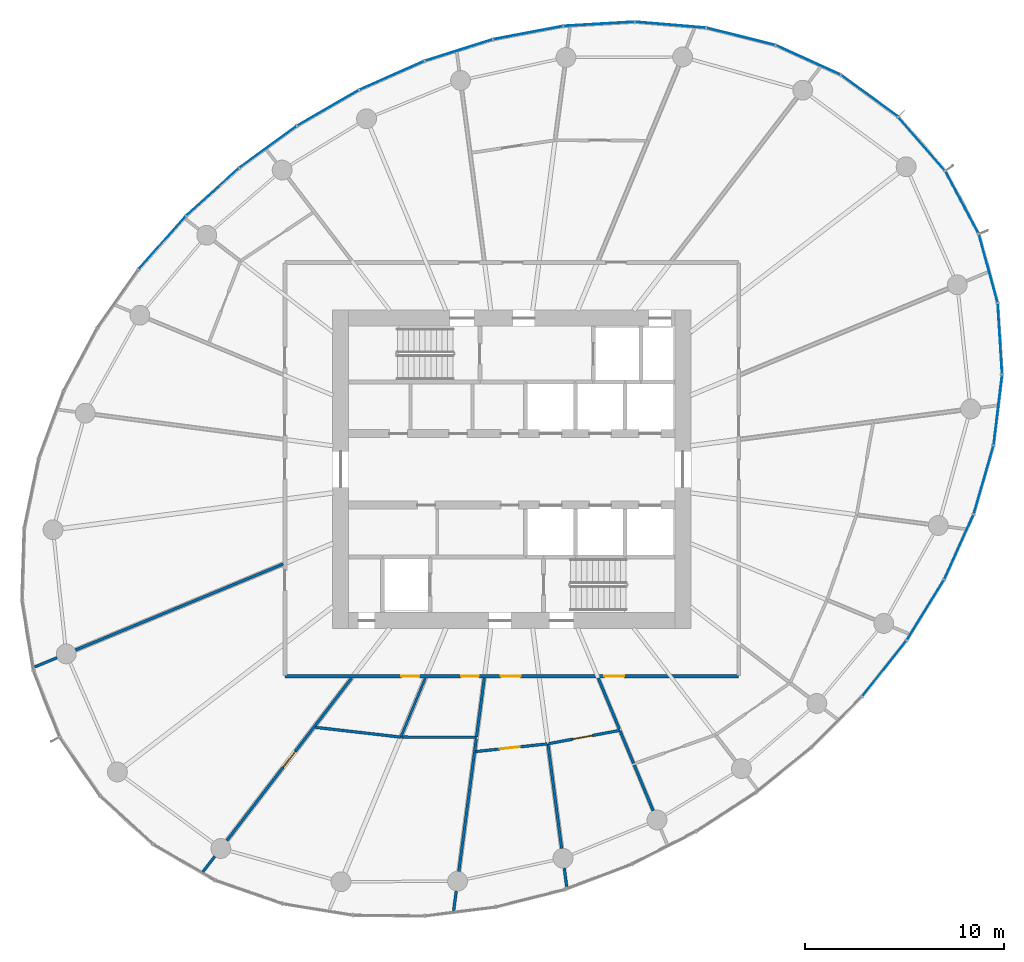
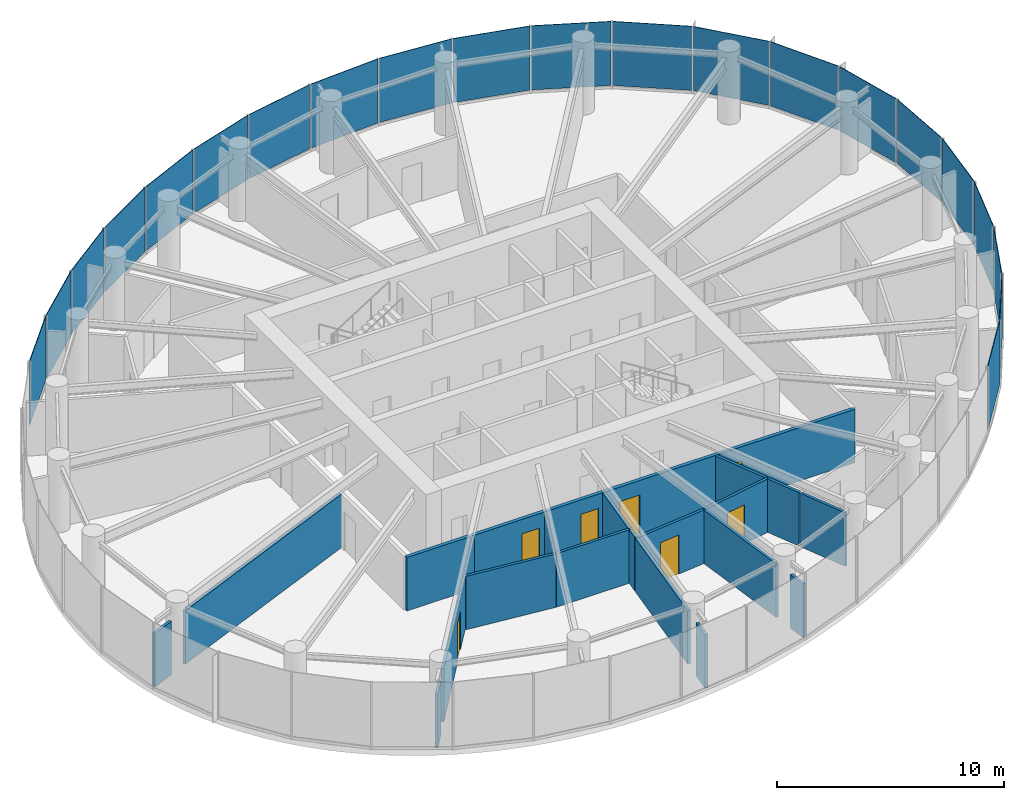
# One storey, part 8 of 14: 21 plates, 19 walls, 7 doors, 7 openings, 5 elements without a shape of their own.
"""IFC4 building model written with IfcOpenShell, lengths in metres."""

from ifc_helpers import new_model, si_unit, direction, frame, frame_2d, origin, origin_2d, place, context, subcontext, project, spatial, rectangle, extrude, source, transform, mapped, material, layer, layer_set, type_object, element, fill, aggregate, save


model = new_model("IFC4")

# Units and contexts
model_context = context("Model", 3, precision=1e-05, world=origin(), true_north=direction((0.0, 1.0)))
body_context = subcontext(model_context, "Body", "Model", "MODEL_VIEW")
ifc_project = project(units=[si_unit("LENGTHUNIT", "METRE"), si_unit("AREAUNIT", "SQUARE_METRE"), si_unit("VOLUMEUNIT", "CUBIC_METRE"), si_unit("PLANEANGLEUNIT", "RADIAN"), si_unit("MASSUNIT", "GRAM", prefix="KILO")], contexts=[model_context])

# Site, building, storey
site_placement = place(None, origin())
site = spatial("IfcSite", under=ifc_project, at=site_placement, CompositionType="ELEMENT")
building_placement = place(site_placement, origin())
building = spatial("IfcBuilding", under=site, at=building_placement, Name="Spindrift Exchange Tower", CompositionType="ELEMENT")
storey_placement = place(building_placement, frame((0.0, 0.0, 148.699951171875)))
storey = spatial("IfcBuildingStorey", under=building, at=storey_placement, Name="L35", CompositionType="ELEMENT", Elevation=148.699951171875)

# Curtain wall, plate
ifc_material_1 = material(Name="Fritted laminated glass with bronze frame", Category="glass")
ifc_layer_1 = layer(ifc_material_1, 0.179931640625)
ifc_layer_set_1 = layer_set([ifc_layer_1], Name="ZONE 3 BRONZE FRITTED WALL")
curtain_wall_type = type_object("IfcCurtainWallType", Name="ZONE 3 BRONZE FRITTED WALL", PredefinedType="NOTDEFINED", material=ifc_layer_set_1)
curtain_wall_1_placement = place(storey_placement, origin())
curtain_wall_1 = element("IfcCurtainWall", 1, at=curtain_wall_1_placement, inside=storey, type_object=curtain_wall_type, Name="L35 Zone 3 Bronze Fritted Wall run 6", PredefinedType="NOTDEFINED")
ifc_material_2 = material(Name="Bronze fritted laminated glass, open frit", Category="glass")
ifc_layer_2 = layer(ifc_material_2, 0.031982421875)
ifc_layer_set_2 = layer_set([ifc_layer_2], Name="ZONE 3 BRONZE FRITTED WALL PANEL OPEN FRIT 360")
plate_type_1 = type_object("IfcPlateType", Name="ZONE 3 BRONZE FRITTED WALL PANEL OPEN FRIT 360", PredefinedType="CURTAIN_PANEL", material=ifc_layer_set_2)
shared_shape_1 = source(origin(), body_context, "Body", "SweptSolid", [
    extrude(rectangle(XDim=3.530517578125, YDim=0.031982421875, at=origin_2d()), origin(), (0.0, 0.0, 1.0), 3.449951171875),
])
plate_1_placement = place(storey_placement, frame((70.730224609375, 37.9853515625, 0.1298828125), z_axis=(0.0, 0.0, 1.0), x_axis=(0.621947621196, 0.783058846121, 0.0)))
plate_1 = element("IfcPlate", 2, at=plate_1_placement, type_object=plate_type_1, Name="L35 panel CW-3.34", PredefinedType="CURTAIN_PANEL", context=body_context, shape_type="MappedRepresentation", body=[
    mapped(shared_shape_1, transform((0.0, 0.0, 0.0), scale=1.0)),
])

# Curtain wall, plates
curtain_wall_2_placement = place(storey_placement, origin())
curtain_wall_2 = element("IfcCurtainWall", 3, at=curtain_wall_2_placement, inside=storey, type_object=curtain_wall_type, Name="L35 Zone 3 Bronze Fritted Wall run 2", PredefinedType="NOTDEFINED")
ifc_layer_3 = layer(ifc_material_2, 0.031982421875)
ifc_layer_set_3 = layer_set([ifc_layer_3], Name="ZONE 3 BRONZE FRITTED WALL PANEL OPEN FRIT 600")
plate_type_2 = type_object("IfcPlateType", Name="ZONE 3 BRONZE FRITTED WALL PANEL OPEN FRIT 600", PredefinedType="CURTAIN_PANEL", material=ifc_layer_set_3)
shared_shape_2 = source(origin(), body_context, "Body", "SweptSolid", [
    extrude(rectangle(XDim=3.531005859375, YDim=0.031982421875, at=origin_2d()), origin(), (0.0, 0.0, 1.0), 3.449951171875),
])
plate_2_placement = place(storey_placement, frame((39.751953125, 64.208740234375, 0.1298828125), z_axis=(0.0, 0.0, 1.0), x_axis=(-0.808604392004, -0.588352731983, 0.0)))
plate_2 = element("IfcPlate", 4, at=plate_2_placement, type_object=plate_type_2, Name="L35 panel CW-3.11", PredefinedType="CURTAIN_PANEL", context=body_context, shape_type="MappedRepresentation", body=[
    mapped(shared_shape_2, transform((0.0, 0.0, 0.0), scale=1.0)),
])
shared_shape_3 = source(origin(), body_context, "Body", "SweptSolid", [
    extrude(rectangle(XDim=3.531005859375, YDim=0.031982421875, at=origin_2d()), origin(), (0.0, 0.0, 1.0), 3.449951171875),
])
plate_3_placement = place(storey_placement, frame((42.766845703125, 66.1689453125, 0.1298828125), z_axis=(0.0, 0.0, 1.0), x_axis=(-0.865809775156, -0.500373293897, 0.0)))
plate_3 = element("IfcPlate", 5, at=plate_3_placement, type_object=plate_type_1, Name="L35 panel CW-3.10", PredefinedType="CURTAIN_PANEL", context=body_context, shape_type="MappedRepresentation", body=[
    mapped(shared_shape_3, transform((0.0, 0.0, 0.0), scale=1.0)),
])
shared_shape_4 = source(origin(), body_context, "Body", "SweptSolid", [
    extrude(rectangle(XDim=3.53076171875, YDim=0.031982421875, at=origin_2d()), origin(), (0.0, 0.0, 1.0), 3.449951171875),
])
plate_4_placement = place(storey_placement, frame((36.960205078125, 61.942626953125, 0.1298828125), z_axis=(0.0, 0.0, 1.0), x_axis=(-0.742076462523, -0.670315242083, 0.0)))
plate_4 = element("IfcPlate", 6, at=plate_4_placement, type_object=plate_type_1, Name="L35 panel CW-3.12", PredefinedType="CURTAIN_PANEL", context=body_context, shape_type="MappedRepresentation", body=[
    mapped(shared_shape_4, transform((0.0, 0.0, 0.0), scale=1.0)),
])

# Curtain wall, plate
curtain_wall_3_placement = place(storey_placement, origin())
curtain_wall_3 = element("IfcCurtainWall", 7, at=curtain_wall_3_placement, inside=storey, type_object=curtain_wall_type, Name="L35 Zone 3 Bronze Fritted Wall run 3", PredefinedType="NOTDEFINED")
plate_5_placement = place(storey_placement, frame((34.427001953125, 59.39111328125, 0.1298828125), z_axis=(0.0, 0.0, 1.0), x_axis=(-0.665014007247, -0.746830884582, 0.0)))
plate_5 = element("IfcPlate", 8, at=plate_5_placement, type_object=plate_type_1, Name="L35 panel CW-3.13", PredefinedType="CURTAIN_PANEL", context=body_context, shape_type="MappedRepresentation", body=[
    mapped(shared_shape_4, transform((0.0, 0.0, 0.0), scale=1.0)),
])
aggregate(curtain_wall_3, [plate_5])

# Plate
ifc_layer_4 = layer(ifc_material_2, 0.031982421875)
ifc_layer_set_4 = layer_set([ifc_layer_4], Name="ZONE 3 BRONZE FRITTED WALL PANEL OPEN FRIT 480")
plate_type_3 = type_object("IfcPlateType", Name="ZONE 3 BRONZE FRITTED WALL PANEL OPEN FRIT 480", PredefinedType="CURTAIN_PANEL", material=ifc_layer_set_4)
shared_shape_5 = source(origin(), body_context, "Body", "SweptSolid", [
    extrude(rectangle(XDim=3.530517578125, YDim=0.031982421875, at=origin_2d()), origin(), (0.0, 0.0, 1.0), 3.449951171875),
])
plate_6_placement = place(storey_placement, frame((52.819091796875, 69.949951171875, 0.1298828125), z_axis=(0.0, 0.0, 1.0), x_axis=(-0.982426950667, -0.186647492894, 0.0)))
plate_6 = element("IfcPlate", 9, at=plate_6_placement, type_object=plate_type_3, Name="L35 panel CW-3.7", PredefinedType="CURTAIN_PANEL", context=body_context, shape_type="MappedRepresentation", body=[
    mapped(shared_shape_5, transform((0.0, 0.0, 0.0), scale=1.0)),
])

plate_7_placement = place(storey_placement, frame((49.333984375, 69.0712890625, 0.1298828125), z_axis=(0.0, 0.0, 1.0), x_axis=(-0.953524142272, -0.301316627659, 0.0)))
plate_7 = element("IfcPlate", 10, at=plate_7_placement, type_object=plate_type_3, Name="L35 panel CW-3.8", PredefinedType="CURTAIN_PANEL", context=body_context, shape_type="MappedRepresentation", body=[
    mapped(shared_shape_5, transform((0.0, 0.0, 0.0), scale=1.0)),
])

shared_shape_6 = source(origin(), body_context, "Body", "SweptSolid", [
    extrude(rectangle(XDim=3.53076171875, YDim=0.031982421875, at=origin_2d()), origin(), (0.0, 0.0, 1.0), 3.449951171875),
])
plate_8_placement = place(storey_placement, frame((45.9716796875, 67.799560546875, 0.1298828125), z_axis=(0.0, 0.0, 1.0), x_axis=(-0.914220010964, -0.405218177718, 0.0)))
plate_8 = element("IfcPlate", 11, at=plate_8_placement, type_object=plate_type_3, Name="L35 panel CW-3.9", PredefinedType="CURTAIN_PANEL", context=body_context, shape_type="MappedRepresentation", body=[
    mapped(shared_shape_6, transform((0.0, 0.0, 0.0), scale=1.0)),
])

aggregate(curtain_wall_2, [plate_6, plate_7, plate_8, plate_3, plate_2, plate_4])

# Curtain wall, plate
curtain_wall_4_placement = place(storey_placement, origin())
curtain_wall_4 = element("IfcCurtainWall", 12, at=curtain_wall_4_placement, inside=storey, type_object=curtain_wall_type, Name="L35 Zone 3 Bronze Fritted Wall run 7", PredefinedType="NOTDEFINED")
shared_shape_7 = source(origin(), body_context, "Body", "SweptSolid", [
    extrude(rectangle(XDim=3.525634765625, YDim=0.031982421875, at=origin_2d()), origin(), (0.0, 0.0, 1.0), 3.449951171875),
])
plate_9_placement = place(storey_placement, frame((75.95751953125, 58.093994140625, 0.1298828125), z_axis=(0.0, 0.0, 1.0), x_axis=(-0.26322990572, 0.964733132392, 0.0)))
plate_9 = element("IfcPlate", 13, at=plate_9_placement, type_object=plate_type_1, Name="L35 panel CW-3.40", PredefinedType="CURTAIN_PANEL", context=body_context, shape_type="MappedRepresentation", body=[
    mapped(shared_shape_7, transform((0.0, 0.0, 0.0), scale=1.0)),
])

curtain_wall_5_placement = place(storey_placement, origin())
curtain_wall_5 = element("IfcCurtainWall", 14, at=curtain_wall_5_placement, inside=storey, type_object=curtain_wall_type, Name="L35 Zone 3 Bronze Fritted Wall run 1", PredefinedType="NOTDEFINED")
shared_shape_8 = source(origin(), body_context, "Body", "SweptSolid", [
    extrude(rectangle(XDim=3.52685546875, YDim=0.031982421875, at=origin_2d()), origin(), (0.0, 0.0, 1.0), 3.449951171875),
])
plate_10_placement = place(storey_placement, frame((66.8955078125, 68.57958984375, 0.1298828125), z_axis=(0.0, 0.0, 1.0), x_axis=(-0.910161650547, 0.41425326779, 0.0)))
plate_10 = element("IfcPlate", 15, at=plate_10_placement, type_object=plate_type_3, Name="L35 panel CW-3.3", PredefinedType="CURTAIN_PANEL", context=body_context, shape_type="MappedRepresentation", body=[
    mapped(shared_shape_8, transform((0.0, 0.0, 0.0), scale=1.0)),
])

# Plate
shared_shape_9 = source(origin(), body_context, "Body", "SweptSolid", [
    extrude(rectangle(XDim=3.528076171875, YDim=0.031982421875, at=origin_2d()), origin(), (0.0, 0.0, 1.0), 3.449951171875),
])
plate_11_placement = place(storey_placement, frame((76.4375, 50.9833984375, 0.1298828125), z_axis=(0.0, 0.0, 1.0), x_axis=(0.120090056114, 0.992763002142, 0.0)))
plate_11 = element("IfcPlate", 16, at=plate_11_placement, type_object=plate_type_1, Name="L35 panel CW-3.38", PredefinedType="CURTAIN_PANEL", context=body_context, shape_type="MappedRepresentation", body=[
    mapped(shared_shape_9, transform((0.0, 0.0, 0.0), scale=1.0)),
])

shared_shape_10 = source(origin(), body_context, "Body", "SweptSolid", [
    extrude(rectangle(XDim=3.52978515625, YDim=0.031982421875, at=origin_2d()), origin(), (0.0, 0.0, 1.0), 3.449951171875),
])
plate_12_placement = place(storey_placement, frame((74.4814453125, 44.09912109375, 0.1298828125), z_axis=(0.0, 0.0, 1.0), x_axis=(0.411574804254, 0.911375981965, 0.0)))
plate_12 = element("IfcPlate", 17, at=plate_12_placement, type_object=plate_type_1, Name="L35 panel CW-3.36", PredefinedType="CURTAIN_PANEL", context=body_context, shape_type="MappedRepresentation", body=[
    mapped(shared_shape_10, transform((0.0, 0.0, 0.0), scale=1.0)),
])

shared_shape_11 = source(origin(), body_context, "Body", "SweptSolid", [
    extrude(rectangle(XDim=3.529052734375, YDim=0.031982421875, at=origin_2d()), origin(), (0.0, 0.0, 1.0), 3.449951171875),
])
plate_13_placement = place(storey_placement, frame((59.974609375, 70.347412109375, 0.1298828125), z_axis=(0.0, 0.0, 1.0), x_axis=(-0.996487453492, 0.083742193859, 0.0)))
plate_13 = element("IfcPlate", 18, at=plate_13_placement, type_object=plate_type_3, Name="L35 panel CW-3.5", PredefinedType="CURTAIN_PANEL", context=body_context, shape_type="MappedRepresentation", body=[
    mapped(shared_shape_11, transform((0.0, 0.0, 0.0), scale=1.0)),
])

shared_shape_12 = source(origin(), body_context, "Body", "SweptSolid", [
    extrude(rectangle(XDim=3.524658203125, YDim=0.031982421875, at=origin_2d()), origin(), (0.0, 0.0, 1.0), 3.449951171875),
])
plate_14_placement = place(storey_placement, frame((72.615966796875, 64.357421875, 0.1298828125), z_axis=(0.0, 0.0, 1.0), x_axis=(-0.657310797795, 0.753619609022, 0.0)))
plate_14 = element("IfcPlate", 19, at=plate_14_placement, type_object=plate_type_3, Name="L35 panel CW-3.1", PredefinedType="CURTAIN_PANEL", context=body_context, shape_type="MappedRepresentation", body=[
    mapped(shared_shape_12, transform((0.0, 0.0, 0.0), scale=1.0)),
])

shared_shape_13 = source(origin(), body_context, "Body", "SweptSolid", [
    extrude(rectangle(XDim=3.52978515625, YDim=0.031982421875, at=origin_2d()), origin(), (0.0, 0.0, 1.0), 3.449951171875),
])
plate_15_placement = place(storey_placement, frame((56.384521484375, 70.39208984375, 0.1298828125), z_axis=(0.0, 0.0, 1.0), x_axis=(-0.998259439775, -0.058975341458, 0.0)))
plate_15 = element("IfcPlate", 20, at=plate_15_placement, type_object=plate_type_2, Name="L35 panel CW-3.6", PredefinedType="CURTAIN_PANEL", context=body_context, shape_type="MappedRepresentation", body=[
    mapped(shared_shape_13, transform((0.0, 0.0, 0.0), scale=1.0)),
])

shared_shape_14 = source(origin(), body_context, "Body", "SweptSolid", [
    extrude(rectangle(XDim=3.529296875, YDim=0.031982421875, at=origin_2d()), origin(), (0.0, 0.0, 1.0), 3.449951171875),
])
plate_16_placement = place(storey_placement, frame((75.7216796875, 47.468505859375, 0.1298828125), z_axis=(0.0, 0.0, 1.0), x_axis=(0.277593003069, 0.960698768942, 0.0)))
plate_16 = element("IfcPlate", 21, at=plate_16_placement, type_object=plate_type_2, Name="L35 panel CW-3.37", PredefinedType="CURTAIN_PANEL", context=body_context, shape_type="MappedRepresentation", body=[
    mapped(shared_shape_14, transform((0.0, 0.0, 0.0), scale=1.0)),
])

shared_shape_15 = source(origin(), body_context, "Body", "SweptSolid", [
    extrude(rectangle(XDim=3.52490234375, YDim=0.031982421875, at=origin_2d()), origin(), (0.0, 0.0, 1.0), 3.449951171875),
])
plate_17_placement = place(storey_placement, frame((74.640625, 61.41552734375, 0.1298828125), z_axis=(0.0, 0.0, 1.0), x_axis=(-0.469208025022, 0.883087667933, 0.0)))
plate_17 = element("IfcPlate", 22, at=plate_17_placement, type_object=plate_type_1, Name="L35 panel CW-3.41", PredefinedType="CURTAIN_PANEL", context=body_context, shape_type="MappedRepresentation", body=[
    mapped(shared_shape_15, transform((0.0, 0.0, 0.0), scale=1.0)),
])

shared_shape_16 = source(origin(), body_context, "Body", "SweptSolid", [
    extrude(rectangle(XDim=3.52587890625, YDim=0.031982421875, at=origin_2d()), origin(), (0.0, 0.0, 1.0), 3.449951171875),
])
plate_18_placement = place(storey_placement, frame((69.9833984375, 66.773193359375, 0.1298828125), z_axis=(0.0, 0.0, 1.0), x_axis=(-0.807117995977, 0.590390159615, 0.0)))
plate_18 = element("IfcPlate", 23, at=plate_18_placement, type_object=plate_type_2, Name="L35 panel CW-3.2", PredefinedType="CURTAIN_PANEL", context=body_context, shape_type="MappedRepresentation", body=[
    mapped(shared_shape_16, transform((0.0, 0.0, 0.0), scale=1.0)),
])

shared_shape_17 = source(origin(), body_context, "Body", "SweptSolid", [
    extrude(rectangle(XDim=3.5283203125, YDim=0.031982421875, at=origin_2d()), origin(), (0.0, 0.0, 1.0), 3.449951171875),
])
plate_19_placement = place(storey_placement, frame((63.51318359375, 69.7607421875, 0.1298828125), z_axis=(0.0, 0.0, 1.0), x_axis=(-0.97018330764, 0.242372336659, 0.0)))
plate_19 = element("IfcPlate", 24, at=plate_19_placement, type_object=plate_type_1, Name="L35 panel CW-3.4", PredefinedType="CURTAIN_PANEL", context=body_context, shape_type="MappedRepresentation", body=[
    mapped(shared_shape_17, transform((0.0, 0.0, 0.0), scale=1.0)),
])

aggregate(curtain_wall_5, [plate_14, plate_18, plate_10, plate_19, plate_13, plate_15])

shared_shape_18 = source(origin(), body_context, "Body", "SweptSolid", [
    extrude(rectangle(XDim=3.5302734375, YDim=0.031982421875, at=origin_2d()), origin(), (0.0, 0.0, 1.0), 3.449951171875),
])
plate_20_placement = place(storey_placement, frame((72.79541015625, 40.927001953125, 0.1298828125), z_axis=(0.0, 0.0, 1.0), x_axis=(0.525161262506, 0.851002731114, 0.0)))
plate_20 = element("IfcPlate", 25, at=plate_20_placement, type_object=plate_type_2, Name="L35 panel CW-3.35", PredefinedType="CURTAIN_PANEL", context=body_context, shape_type="MappedRepresentation", body=[
    mapped(shared_shape_18, transform((0.0, 0.0, 0.0), scale=1.0)),
])

aggregate(curtain_wall_1, [plate_1, plate_20, plate_12])

shared_shape_19 = source(origin(), body_context, "Body", "SweptSolid", [
    extrude(rectangle(XDim=3.52685546875, YDim=0.031982421875, at=origin_2d()), origin(), (0.0, 0.0, 1.0), 3.449951171875),
])
plate_21_placement = place(storey_placement, frame((76.5419921875, 54.564453125, 0.1298828125), z_axis=(0.0, 0.0, 1.0), x_axis=(-0.061942198836, 0.998079738299, 0.0)))
plate_21 = element("IfcPlate", 26, at=plate_21_placement, type_object=plate_type_1, Name="L35 panel CW-3.39", PredefinedType="CURTAIN_PANEL", context=body_context, shape_type="MappedRepresentation", body=[
    mapped(shared_shape_19, transform((0.0, 0.0, 0.0), scale=1.0)),
])

aggregate(curtain_wall_4, [plate_16, plate_11, plate_21, plate_9, plate_17])

# Wall, openings, doors
ifc_material_3 = material(Name="Fire-rated plasterboard partition", Category="gypsum")
ifc_layer_5 = layer(ifc_material_3, 0.179931640625)
ifc_layer_set_5 = layer_set([ifc_layer_5], Name="W-CORR-180")
wall_type_1 = type_object("IfcWallType", Name="W-CORR-180", PredefinedType="PARTITIONING", material=ifc_layer_set_5)
wall_1_placement = place(storey_placement, frame((63.39990234375, 37.60009765625, 0.0), z_axis=(0.0, 0.0, 1.0), x_axis=(-1.0, 0.0, 0.0)))
wall_1 = element("IfcWall", 27, at=wall_1_placement, inside=storey, type_object=wall_type_1, Name="L35 Partition wall 28", PredefinedType="PARTITIONING", context=body_context, shape_type="SweptSolid", body=[
    extrude(rectangle(XDim=22.7998046875, YDim=0.179931640625, at=frame_2d((11.39990234375, 0.0))), origin(), (0.0, 0.0, 1.0), 2.880126953125),
])
opening_1_placement = place(wall_1_placement, frame((16.050048828125, 0.0, 0.0)))
opening_1 = element("IfcOpeningElement", 28, at=opening_1_placement, cuts=wall_1, Name="Opening L35-D19", PredefinedType="OPENING", context=body_context, shape_type="SweptSolid", body=[
    extrude(rectangle(XDim=0.89990234375, YDim=2.10009765625, at=frame_2d((0.449951171875, 1.050048828125))), frame((0.0, 0.099853515625, 0.0), z_axis=(0.0, -1.0, 0.0), x_axis=(1.0, 0.0, 0.0)), (0.0, 0.0, 1.0), 0.199951171875),
])
opening_2_placement = place(wall_1_placement, frame((13.050048828125, 0.0, 0.0)))
opening_2 = element("IfcOpeningElement", 29, at=opening_2_placement, cuts=wall_1, Name="Opening L35-D20", PredefinedType="OPENING", context=body_context, shape_type="SweptSolid", body=[
    extrude(rectangle(XDim=0.89990234375, YDim=2.10009765625, at=frame_2d((0.449951171875, 1.050048828125))), frame((0.0, 0.099853515625, 0.0), z_axis=(0.0, -1.0, 0.0), x_axis=(1.0, 0.0, 0.0)), (0.0, 0.0, 1.0), 0.199951171875),
])
opening_3_placement = place(wall_1_placement, frame((10.949951171875, 0.0, 0.0)))
opening_3 = element("IfcOpeningElement", 30, at=opening_3_placement, cuts=wall_1, Name="Opening L35-D21", PredefinedType="OPENING", context=body_context, shape_type="SweptSolid", body=[
    extrude(rectangle(XDim=1.0, YDim=2.10009765625, at=frame_2d((0.5, 1.050048828125))), frame((0.0, 0.099853515625, 0.0), z_axis=(0.0, -1.0, 0.0), x_axis=(1.0, 0.0, 0.0)), (0.0, 0.0, 1.0), 0.199951171875),
])
opening_4_placement = place(wall_1_placement, frame((5.75, 0.0, 0.0)))
opening_4 = element("IfcOpeningElement", 31, at=opening_4_placement, cuts=wall_1, Name="Opening L35-D25", PredefinedType="OPENING", context=body_context, shape_type="SweptSolid", body=[
    extrude(rectangle(XDim=1.0, YDim=2.10009765625, at=frame_2d((0.5, 1.050048828125))), frame((0.0, 0.099853515625, 0.0), z_axis=(0.0, -1.0, 0.0), x_axis=(1.0, 0.0, 0.0)), (0.0, 0.0, 1.0), 0.199951171875),
])
ifc_material_4 = material(Name="Timber-core fire door", Category="wood")
door_type_1 = type_object("IfcDoorType", Name="DR-ROOM-1000", OperationType="NOTDEFINED", PredefinedType="DOOR", material=ifc_material_4)
shared_shape_20 = source(origin(), body_context, "Body", "SweptSolid", [
    extrude(rectangle(XDim=1.0, YDim=2.10009765625, at=frame_2d((0.5, 1.050048828125))), frame((0.0, 0.02490234375, 0.0), z_axis=(0.0, -1.0, 0.0), x_axis=(1.0, 0.0, 0.0)), (0.0, 0.0, 1.0), 0.050048828125),
])
door_1_placement = place(opening_3_placement, origin())
door_1 = element("IfcDoor", 32, at=door_1_placement, inside=storey, type_object=door_type_1, Name="L35 Door 21", OperationType="SINGLE_SWING_LEFT", OverallHeight=2.10009765625, OverallWidth=1.0, PredefinedType="DOOR", context=body_context, shape_type="MappedRepresentation", body=[
    mapped(shared_shape_20, transform((0.0, 0.0, 0.0), scale=1.0)),
])
fill(opening_3, door_1)
door_2_placement = place(opening_4_placement, origin())
door_2 = element("IfcDoor", 33, at=door_2_placement, inside=storey, type_object=door_type_1, Name="L35 Door 25", OperationType="SINGLE_SWING_LEFT", OverallHeight=2.10009765625, OverallWidth=1.0, PredefinedType="DOOR", context=body_context, shape_type="MappedRepresentation", body=[
    mapped(shared_shape_20, transform((0.0, 0.0, 0.0), scale=1.0)),
])
fill(opening_4, door_2)
ifc_material_5 = material(Name="Laminate washroom door", Category="wood")
door_type_2 = type_object("IfcDoorType", Name="DR-WC-900", OperationType="NOTDEFINED", PredefinedType="DOOR", material=ifc_material_5)
shared_shape_21 = source(origin(), body_context, "Body", "SweptSolid", [
    extrude(rectangle(XDim=0.89990234375, YDim=2.10009765625, at=frame_2d((0.449951171875, 1.050048828125))), frame((0.0, 0.02490234375, 0.0), z_axis=(0.0, -1.0, 0.0), x_axis=(1.0, 0.0, 0.0)), (0.0, 0.0, 1.0), 0.050048828125),
])
door_3_placement = place(opening_1_placement, origin())
door_3 = element("IfcDoor", 34, at=door_3_placement, inside=storey, type_object=door_type_2, Name="L35 WC door 19", OperationType="SINGLE_SWING_LEFT", OverallHeight=2.10009765625, OverallWidth=0.89990234375, PredefinedType="DOOR", context=body_context, shape_type="MappedRepresentation", body=[
    mapped(shared_shape_21, transform((0.0, 0.0, 0.0), scale=1.0)),
])
fill(opening_1, door_3)
door_4_placement = place(opening_2_placement, origin())
door_4 = element("IfcDoor", 35, at=door_4_placement, inside=storey, type_object=door_type_2, Name="L35 WC door 20", OperationType="SINGLE_SWING_RIGHT", OverallHeight=2.10009765625, OverallWidth=0.89990234375, PredefinedType="DOOR", context=body_context, shape_type="MappedRepresentation", body=[
    mapped(shared_shape_21, transform((0.0, 0.0, 0.0), scale=1.0)),
])
fill(opening_2, door_4)

# Wall
ifc_layer_6 = layer(ifc_material_3, 0.139892578125)
ifc_layer_set_6 = layer_set([ifc_layer_6], Name="W-PART-140")
wall_type_2 = type_object("IfcWallType", Name="W-PART-140", PredefinedType="PARTITIONING", material=ifc_layer_set_6)
wall_2_placement = place(storey_placement, frame((40.510009765625, 43.24072265625, 0.0), z_axis=(0.0, 0.0, 1.0), x_axis=(-0.923879643786, -0.382683163725, 0.0)))
element("IfcWall", 36, at=wall_2_placement, inside=storey, type_object=wall_type_2, Name="L35 Partition wall 31", PredefinedType="PARTITIONING", context=body_context, shape_type="SweptSolid", body=[
    extrude(rectangle(XDim=11.30029296875, YDim=0.139892578125, at=frame_2d((5.650146484375, 0.0))), origin(), (0.0, 0.0, 1.0), 2.880126953125),
])

# Wall, opening, door
wall_3_placement = place(storey_placement, frame((43.95068359375, 37.510009765625, 0.0), z_axis=(0.0, 0.0, 1.0), x_axis=(-0.608768467527, -0.793347939396, 0.0)))
wall_3 = element("IfcWall", 37, at=wall_3_placement, inside=storey, type_object=wall_type_2, Name="L35 Partition wall 33", PredefinedType="PARTITIONING", context=body_context, shape_type="SweptSolid", body=[
    extrude(rectangle(XDim=10.297119140625, YDim=0.139892578125, at=frame_2d((5.1484375, 0.0))), origin(), (0.0, 0.0, 1.0), 2.880126953125),
])
opening_5_placement = place(wall_3_placement, frame((4.64990234375, 0.0, 0.0)))
opening_5 = element("IfcOpeningElement", 38, at=opening_5_placement, cuts=wall_3, Name="Opening L35-D24", PredefinedType="OPENING", context=body_context, shape_type="SweptSolid", body=[
    extrude(rectangle(XDim=1.0, YDim=2.10009765625, at=frame_2d((0.5, 1.050048828125))), frame((0.0, 0.079833984375, 0.0), z_axis=(0.0, -1.0, 0.0), x_axis=(1.0, 0.0, 0.0)), (0.0, 0.0, 1.0), 0.159912109375),
])
door_5_placement = place(opening_5_placement, origin())
door_5 = element("IfcDoor", 39, at=door_5_placement, inside=storey, type_object=door_type_1, Name="L35 Door 24", OperationType="SINGLE_SWING_RIGHT", OverallHeight=2.10009765625, OverallWidth=1.0, PredefinedType="DOOR", context=body_context, shape_type="MappedRepresentation", body=[
    mapped(shared_shape_20, transform((0.0, 0.0, 0.0), scale=1.0)),
])
fill(opening_5, door_5)

# Walls
wall_4_placement = place(storey_placement, frame((50.131103515625, 33.80517578125, 0.0), z_axis=(0.0, 0.0, 1.0), x_axis=(-0.130525353545, -0.991444971787, 0.0)))
element("IfcWall", 40, at=wall_4_placement, inside=storey, type_object=wall_type_2, Name="L35 Partition wall 40", PredefinedType="PARTITIONING", context=body_context, shape_type="SweptSolid", body=[
    extrude(rectangle(XDim=6.06201171875, YDim=0.139892578125, at=frame_2d((3.031005859375, 0.0))), origin(), (0.0, 0.0, 1.0), 2.880126953125),
])
wall_5_placement = place(storey_placement, frame((53.81640625, 34.2021484375, 0.0), z_axis=(0.0, 0.0, 1.0), x_axis=(0.130530791744, -0.991444255824, 0.0)))
element("IfcWall", 41, at=wall_5_placement, inside=storey, type_object=wall_type_2, Name="L35 Partition wall 42", PredefinedType="PARTITIONING", context=body_context, shape_type="SweptSolid", body=[
    extrude(rectangle(XDim=5.298828125, YDim=0.139892578125, at=frame_2d((2.6494140625, 0.0))), origin(), (0.0, 0.0, 1.0), 2.880126953125),
])
wall_6_placement = place(storey_placement, frame((42.13623046875, 35.030517578125, 0.0), z_axis=(0.0, 0.0, 1.0), x_axis=(0.993502737761, -0.113808216145, 0.0)))
element("IfcWall", 42, at=wall_6_placement, inside=storey, type_object=wall_type_2, Name="L35 Partition wall 51", PredefinedType="PARTITIONING", context=body_context, shape_type="SweptSolid", body=[
    extrude(rectangle(XDim=4.316162109375, YDim=0.139892578125, at=frame_2d((2.158203125, 0.0))), origin(), (0.0, 0.0, 1.0), 2.880126953125),
])
wall_7_placement = place(storey_placement, frame((46.454345703125, 34.539306640625, 0.0), z_axis=(0.0, 0.0, 1.0), x_axis=(0.999995567734, -0.002977333082, 0.0)))
element("IfcWall", 43, at=wall_7_placement, inside=storey, type_object=wall_type_2, Name="L35 Partition wall 55", PredefinedType="PARTITIONING", context=body_context, shape_type="SweptSolid", body=[
    extrude(rectangle(XDim=3.77197265625, YDim=0.139892578125, at=frame_2d((1.885986328125, 0.0))), origin(), (0.0, 0.0, 1.0), 2.880126953125),
])

# Wall, opening, door
wall_8_placement = place(storey_placement, frame((53.78662109375, 34.198974609375, 0.0), z_axis=(0.0, 0.0, 1.0), x_axis=(-0.994246424416, -0.107116980612, 0.0)))
wall_8 = element("IfcWall", 44, at=wall_8_placement, inside=storey, type_object=wall_type_2, Name="L35 Partition wall 56", PredefinedType="PARTITIONING", context=body_context, shape_type="SweptSolid", body=[
    extrude(rectangle(XDim=3.646728515625, YDim=0.139892578125, at=frame_2d((1.8232421875, 0.0))), origin(), (0.0, 0.0, 1.0), 2.880126953125),
])
opening_6_placement = place(wall_8_placement, frame((1.396728515625, 0.0, 0.0)))
opening_6 = element("IfcOpeningElement", 45, at=opening_6_placement, cuts=wall_8, Name="Opening L35-D22", PredefinedType="OPENING", context=body_context, shape_type="SweptSolid", body=[
    extrude(rectangle(XDim=1.0, YDim=2.10009765625, at=frame_2d((0.5, 1.050048828125))), frame((0.0, 0.079833984375, 0.0), z_axis=(0.0, -1.0, 0.0), x_axis=(1.0, 0.0, 0.0)), (0.0, 0.0, 1.0), 0.159912109375),
])
door_6_placement = place(opening_6_placement, origin())
door_6 = element("IfcDoor", 46, at=door_6_placement, inside=storey, type_object=door_type_1, Name="L35 Door 22", OperationType="SINGLE_SWING_RIGHT", OverallHeight=2.10009765625, OverallWidth=1.0, PredefinedType="DOOR", context=body_context, shape_type="MappedRepresentation", body=[
    mapped(shared_shape_20, transform((0.0, 0.0, 0.0), scale=1.0)),
])
fill(opening_6, door_6)

wall_9_placement = place(storey_placement, frame((57.434814453125, 34.87890625, 0.0), z_axis=(0.0, 0.0, 1.0), x_axis=(-0.982959886945, -0.183820185661, 0.0)))
wall_9 = element("IfcWall", 47, at=wall_9_placement, inside=storey, type_object=wall_type_2, Name="L35 Partition wall 58", PredefinedType="PARTITIONING", context=body_context, shape_type="SweptSolid", body=[
    extrude(rectangle(XDim=3.651123046875, YDim=0.139892578125, at=frame_2d((1.82568359375, 0.0))), origin(), (0.0, 0.0, 1.0), 2.880126953125),
])
opening_7_placement = place(wall_9_placement, frame((1.401123046875, 0.0, 0.0)))
opening_7 = element("IfcOpeningElement", 48, at=opening_7_placement, cuts=wall_9, Name="Opening L35-D23", PredefinedType="OPENING", context=body_context, shape_type="SweptSolid", body=[
    extrude(rectangle(XDim=1.0, YDim=2.10009765625, at=frame_2d((0.5, 1.050048828125))), frame((0.0, 0.079833984375, 0.0), z_axis=(0.0, -1.0, 0.0), x_axis=(1.0, 0.0, 0.0)), (0.0, 0.0, 1.0), 0.159912109375),
])
door_7_placement = place(opening_7_placement, origin())
door_7 = element("IfcDoor", 49, at=door_7_placement, inside=storey, type_object=door_type_1, Name="L35 Door 23", OperationType="SINGLE_SWING_LEFT", OverallHeight=2.10009765625, OverallWidth=1.0, PredefinedType="DOOR", context=body_context, shape_type="MappedRepresentation", body=[
    mapped(shared_shape_20, transform((0.0, 0.0, 0.0), scale=1.0)),
])
fill(opening_7, door_7)

# Walls
wall_10_placement = place(storey_placement, frame((50.618896484375, 37.510009765625, 0.0), z_axis=(0.0, 0.0, 1.0), x_axis=(-0.130520256622, -0.991445642792, 0.0)))
element("IfcWall", 50, at=wall_10_placement, inside=storey, type_object=wall_type_2, Name="L35 Partition wall 61", PredefinedType="PARTITIONING", context=body_context, shape_type="SweptSolid", body=[
    extrude(rectangle(XDim=2.977783203125, YDim=0.139892578125, at=frame_2d((1.48876953125, 0.0))), origin(), (0.0, 0.0, 1.0), 2.880126953125),
])
wall_11_placement = place(storey_placement, frame((56.34521484375, 37.510009765625, 0.0), z_axis=(0.0, 0.0, 1.0), x_axis=(0.382703871955, -0.923871065891, 0.0)))
element("IfcWall", 51, at=wall_11_placement, inside=storey, type_object=wall_type_2, Name="L35 Partition wall 62", PredefinedType="PARTITIONING", context=body_context, shape_type="SweptSolid", body=[
    extrude(rectangle(XDim=2.7763671875, YDim=0.139892578125, at=frame_2d((1.38818359375, 0.0))), origin(), (0.0, 0.0, 1.0), 2.880126953125),
])
wall_12_placement = place(storey_placement, frame((58.159423828125, 33.129638671875, 0.0), z_axis=(0.0, 0.0, 1.0), x_axis=(0.382746335528, -0.923853474659, 0.0)))
element("IfcWall", 52, at=wall_12_placement, inside=storey, type_object=wall_type_2, Name="L35 Partition wall 64", PredefinedType="PARTITIONING", context=body_context, shape_type="SweptSolid", body=[
    extrude(rectangle(XDim=2.4775390625, YDim=0.139892578125, at=frame_2d((1.23876953125, 0.0))), origin(), (0.0, 0.0, 1.0), 2.880126953125),
])
wall_13_placement = place(storey_placement, frame((57.4462890625, 34.851318359375, 0.0), z_axis=(0.0, 0.0, 1.0), x_axis=(0.382677866108, -0.923881838111, 0.0)))
element("IfcWall", 53, at=wall_13_placement, inside=storey, type_object=wall_type_2, Name="L35 Partition wall 68", PredefinedType="PARTITIONING", context=body_context, shape_type="SweptSolid", body=[
    extrude(rectangle(XDim=1.763427734375, YDim=0.139892578125, at=frame_2d((0.8818359375, 0.0))), origin(), (0.0, 0.0, 1.0), 2.880126953125),
])
wall_14_placement = place(storey_placement, frame((29.13671875, 38.52978515625, 0.0), z_axis=(0.0, 0.0, 1.0), x_axis=(-0.923842754498, -0.382772210279, 0.0)))
element("IfcWall", 54, at=wall_14_placement, inside=storey, type_object=wall_type_2, Name="L35 Partition wall 72", PredefinedType="PARTITIONING", context=body_context, shape_type="SweptSolid", body=[
    extrude(rectangle(XDim=1.2138671875, YDim=0.139892578125, at=frame_2d((0.60693359375, 0.0))), origin(), (0.0, 0.0, 1.0), 2.880126953125),
])
wall_15_placement = place(storey_placement, frame((49.208251953125, 26.794677734375, 0.0), z_axis=(0.0, 0.0, 1.0), x_axis=(-0.130609492545, -0.991433891118, 0.0)))
element("IfcWall", 55, at=wall_15_placement, inside=storey, type_object=wall_type_2, Name="L35 Partition wall 76", PredefinedType="PARTITIONING", context=body_context, shape_type="SweptSolid", body=[
    extrude(rectangle(XDim=1.018798828125, YDim=0.139892578125, at=frame_2d((0.50927734375, 0.0))), origin(), (0.0, 0.0, 1.0), 2.880126953125),
])
wall_16_placement = place(storey_placement, frame((37.068115234375, 28.540283203125, 0.0), z_axis=(0.0, 0.0, 1.0), x_axis=(-0.608854774338, -0.793281705175, 0.0)))
element("IfcWall", 56, at=wall_16_placement, inside=storey, type_object=wall_type_2, Name="L35 Partition wall 77", PredefinedType="PARTITIONING", context=body_context, shape_type="SweptSolid", body=[
    extrude(rectangle(XDim=0.992919921875, YDim=0.139892578125, at=frame_2d((0.49658203125, 0.0))), origin(), (0.0, 0.0, 1.0), 2.880126953125),
])
wall_17_placement = place(storey_placement, frame((54.639892578125, 27.948486328125, 0.0), z_axis=(0.0, 0.0, 1.0), x_axis=(0.130488267119, -0.99144985357, 0.0)))
element("IfcWall", 57, at=wall_17_placement, inside=storey, type_object=wall_type_2, Name="L35 Partition wall 79", PredefinedType="PARTITIONING", context=body_context, shape_type="SweptSolid", body=[
    extrude(rectangle(XDim=0.935546875, YDim=0.139892578125, at=frame_2d((0.4677734375, 0.0))), origin(), (0.0, 0.0, 1.0), 2.880126953125),
])
wall_18_placement = place(storey_placement, frame((50.21728515625, 34.4580078125, 0.0), z_axis=(0.0, 0.0, 1.0), x_axis=(-0.130916756961, -0.991393364284, 0.0)))
element("IfcWall", 58, at=wall_18_placement, inside=storey, type_object=wall_type_2, Name="L35 Partition wall 91", PredefinedType="PARTITIONING", context=body_context, shape_type="SweptSolid", body=[
    extrude(rectangle(XDim=0.62841796875, YDim=0.139892578125, at=frame_2d((0.314208984375, 0.0))), origin(), (0.0, 0.0, 1.0), 2.880126953125),
])
ifc_layer_7 = layer(ifc_material_3, 0.1201171875)
ifc_layer_set_7 = layer_set([ifc_layer_7], Name="W-WET-120")
wall_type_3 = type_object("IfcWallType", Name="W-WET-120", PredefinedType="PARTITIONING", material=ifc_layer_set_7)
wall_19_placement = place(storey_placement, frame((47.65478515625, 37.510009765625, 0.0), z_axis=(0.0, 0.0, 1.0), x_axis=(-0.382660896845, -0.923888866707, 0.0)))
element("IfcWall", 59, at=wall_19_placement, inside=storey, type_object=wall_type_3, Name="L35 Partition wall 92", PredefinedType="PARTITIONING", context=body_context, shape_type="SweptSolid", body=[
    extrude(rectangle(XDim=3.185546875, YDim=0.1201171875, at=frame_2d((1.5927734375, 0.0))), origin(), (0.0, 0.0, 1.0), 2.880126953125),
])

save(model, "model.ifc")
